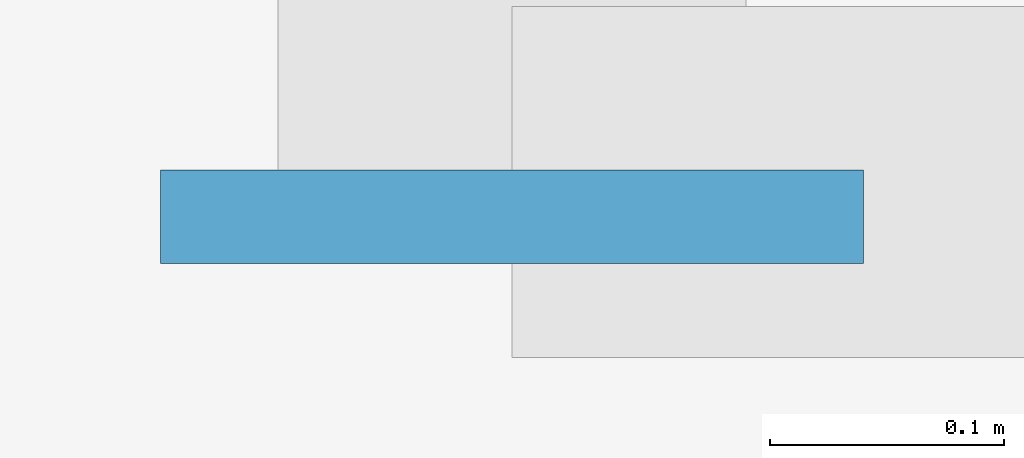
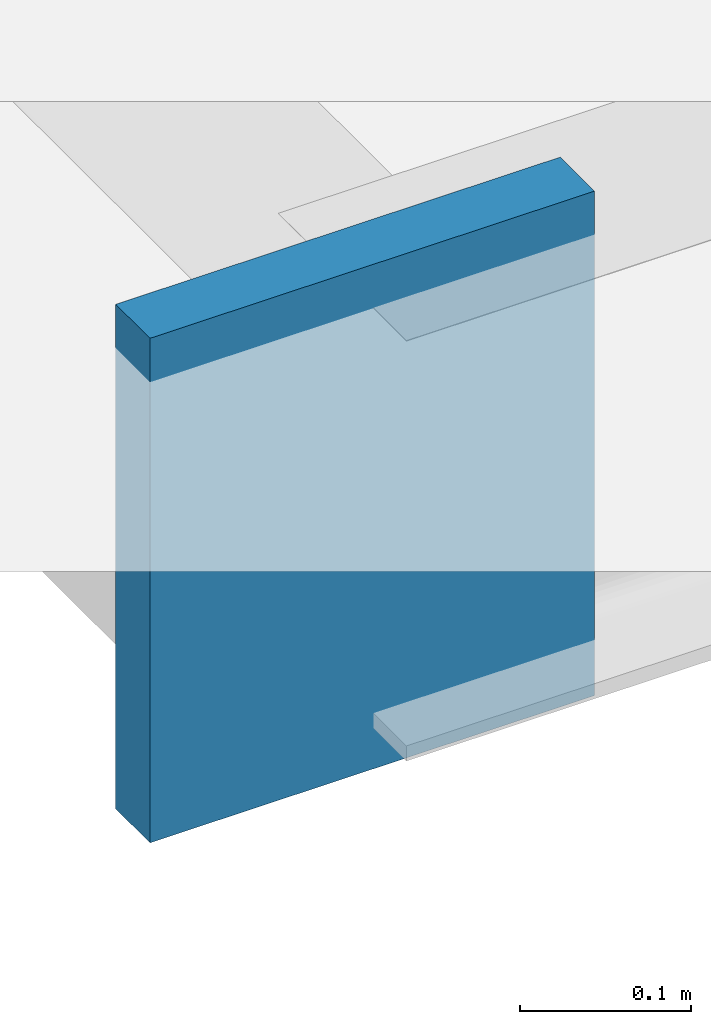
# One storey, part 19 of 28: 1 plate.
"""IFC4 building model written with IfcOpenShell, lengths in metres."""

from ifc_helpers import new_model, si_unit, direction, frame, origin, origin_2d, place, context, subcontext, project, spatial, rectangle, extrude, material, layer, layer_set, type_object, element, save


model = new_model("IFC4")

# Units and contexts
model_context = context("Model", 3, precision=1e-05, world=origin(), true_north=direction((0.0, 1.0)))
body_context = subcontext(model_context, "Body", "Model", "MODEL_VIEW")
ifc_project = project(units=[si_unit("LENGTHUNIT", "METRE"), si_unit("AREAUNIT", "SQUARE_METRE"), si_unit("VOLUMEUNIT", "CUBIC_METRE"), si_unit("PLANEANGLEUNIT", "RADIAN"), si_unit("MASSUNIT", "GRAM", prefix="KILO"), si_unit("THERMODYNAMICTEMPERATUREUNIT", "KELVIN"), si_unit("POWERUNIT", "WATT")], contexts=[model_context])

# Site, building, storey
site_placement = place(None, origin())
site = spatial("IfcSite", under=ifc_project, at=site_placement, CompositionType="ELEMENT")
building_placement = place(site_placement, origin())
building = spatial("IfcBuilding", under=site, at=building_placement, Name="Svarakhadi Broadcast Tower", CompositionType="ELEMENT")
storey_placement = place(building_placement, frame((0.0, 0.0, 107.10009765625)))
storey = spatial("IfcBuildingStorey", under=building, at=storey_placement, Name="L25", CompositionType="ELEMENT", Elevation=107.10009765625)

# Plate
ifc_material = material(Name="Steel S460ML (IS 2062 E450BR)", Category="steel")
ifc_layer = layer(ifc_material, 0.028076171875)
ifc_layer_set = layer_set([ifc_layer], Name="Steel S460ML (IS 2062 E450BR)")
plate_type = type_object("IfcPlateType", Name="Cap_Plate_CP02", PredefinedType="USERDEFINED", material=ifc_layer_set)
plate_placement = place(storey_placement, frame((-1.800048828125, 29.135009765625, -0.55517578125), z_axis=(0.0, 0.0, 1.0), x_axis=(1.0, 0.0, 0.0)))
element("IfcPlate", 1, at=plate_placement, inside=storey, type_object=plate_type, Name="L25 Balcony Spandrel End Cap Plate 2F-A", ObjectType="FLANGE_PLATE", PredefinedType="USERDEFINED", context=body_context, shape_type="SweptSolid", body=[
    extrude(rectangle(XDim=0.300048828125, YDim=0.0400390625, at=origin_2d()), origin(), (0.0, 0.0, 1.0), 0.360107421875),
])

save(model, "model.ifc")
